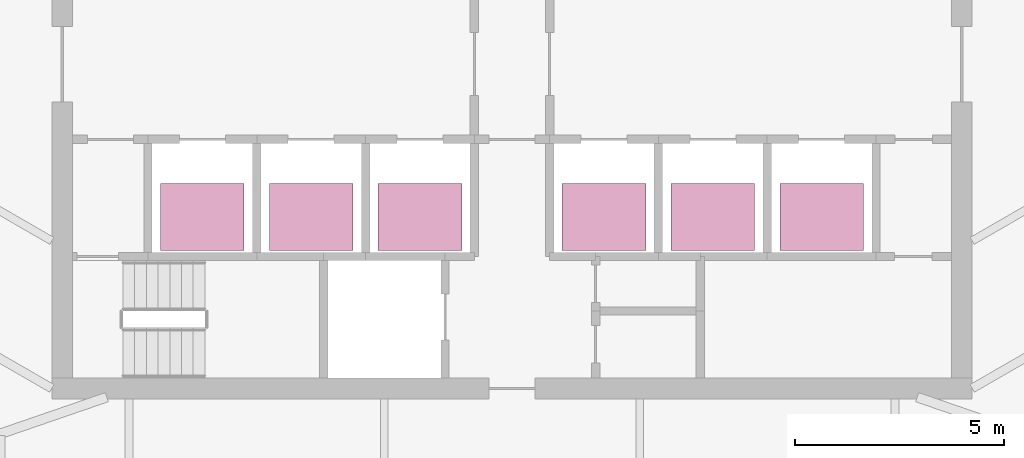
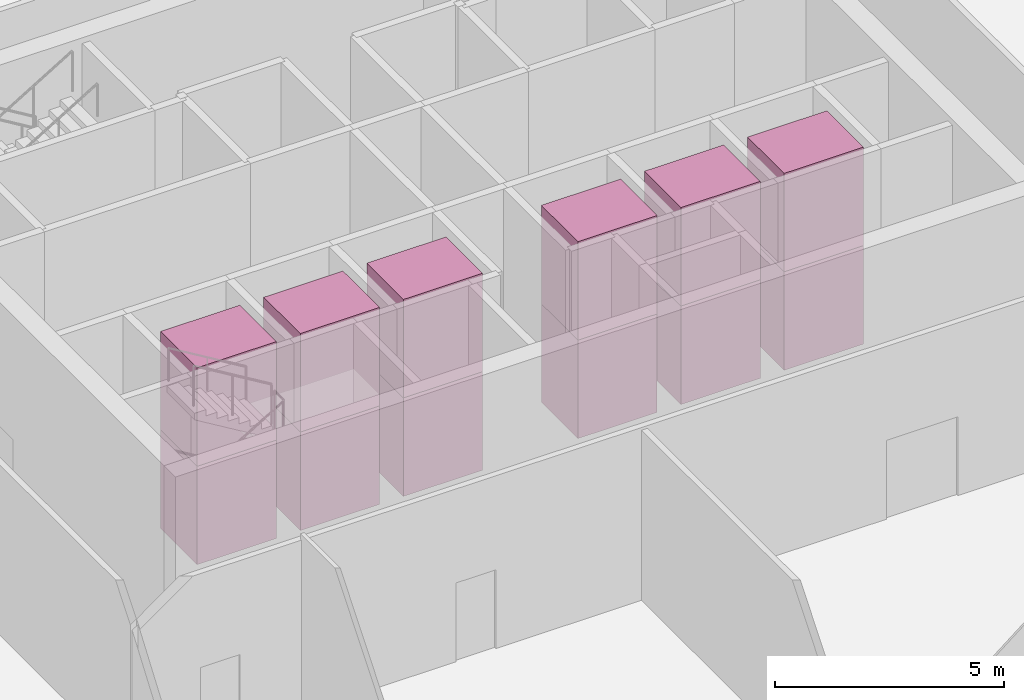
# One storey, part 19 of 19: 12 transport elements.
"""IFC4 building model written with IfcOpenShell, lengths in metres."""

from ifc_helpers import new_model, si_unit, direction, frame, origin, origin_2d, place, context, subcontext, project, spatial, rectangle, extrude, material, type_object, element, save


model = new_model("IFC4")

# Units and contexts
model_context = context("Model", 3, precision=1e-05, world=origin(), true_north=direction((0.0, 1.0)))
body_context = subcontext(model_context, "Body", "Model", "MODEL_VIEW")
ifc_project = project(units=[si_unit("LENGTHUNIT", "METRE"), si_unit("AREAUNIT", "SQUARE_METRE"), si_unit("VOLUMEUNIT", "CUBIC_METRE"), si_unit("PLANEANGLEUNIT", "RADIAN"), si_unit("MASSUNIT", "GRAM", prefix="KILO")], contexts=[model_context])

# Site, building, storey
site_placement = place(None, origin())
site = spatial("IfcSite", under=ifc_project, at=site_placement, CompositionType="ELEMENT")
building_placement = place(site_placement, origin())
building = spatial("IfcBuilding", under=site, at=building_placement, Name="Sierra Prisma Convention Tower", CompositionType="ELEMENT")
storey_placement = place(building_placement, frame((0.0, 0.0, 319.0)))
storey = spatial("IfcBuildingStorey", under=building, at=storey_placement, Name="L73", CompositionType="ELEMENT", Elevation=319.0)

# Transport elements
ifc_material = material(Name="Stainless steel", Category="steel")
transport_element_type = type_object("IfcTransportElementType", Name="Lift car office high 2000x1600 1600 kg", PredefinedType="ELEVATOR", material=ifc_material)
for number, where, z_axis, x_axis, name in (
    (1, (-7.39990234375, -3.64990234375, 0.0), (0.0, 0.0, 1.0), (1.0, 0.0, 0.0), "Lift OH1"),
    (2, (-7.39990234375, -3.64990234375, 2.625), (0.0, 0.0, 1.0), (1.0, 0.0, 0.0), "Lift OH1"),
    (3, (-4.800048828125, -3.64990234375, 0.0), (0.0, 0.0, 1.0), (1.0, 0.0, 0.0), "Lift OH2"),
    (4, (-4.800048828125, -3.64990234375, 2.625), (0.0, 0.0, 1.0), (1.0, 0.0, 0.0), "Lift OH2"),
    (5, (-2.199951171875, -3.64990234375, 0.0), (0.0, 0.0, 1.0), (1.0, 0.0, 0.0), "Lift OH3"),
    (6, (-2.199951171875, -3.64990234375, 2.625), (0.0, 0.0, 1.0), (1.0, 0.0, 0.0), "Lift OH3"),
    (7, (2.199951171875, -3.64990234375, 0.0), (0.0, 0.0, 1.0), (1.0, 0.0, 0.0), "Lift OH4"),
    (8, (2.199951171875, -3.64990234375, 2.625), (0.0, 0.0, 1.0), (1.0, 0.0, 0.0), "Lift OH4"),
    (9, (4.800048828125, -3.64990234375, 0.0), (0.0, 0.0, 1.0), (1.0, 0.0, 0.0), "Lift OH5"),
    (10, (4.800048828125, -3.64990234375, 2.625), (0.0, 0.0, 1.0), (1.0, 0.0, 0.0), "Lift OH5"),
    (11, (7.39990234375, -3.64990234375, 0.0), (0.0, 0.0, 1.0), (1.0, 0.0, 0.0), "Lift OH6"),
    (12, (7.39990234375, -3.64990234375, 2.625), (0.0, 0.0, 1.0), (1.0, 0.0, 0.0), "Lift OH6"),
):
    element("IfcTransportElement", number, at=place(storey_placement, frame(where, z_axis=z_axis, x_axis=x_axis)), inside=storey, type_object=transport_element_type, Name=name, PredefinedType="ELEVATOR", context=body_context, shape_type="SweptSolid", body=[
        extrude(rectangle(XDim=2.0, YDim=1.60009765625, at=origin_2d()), origin(), (0.0, 0.0, 1.0), 2.625),
    ])

save(model, "model.ifc")
